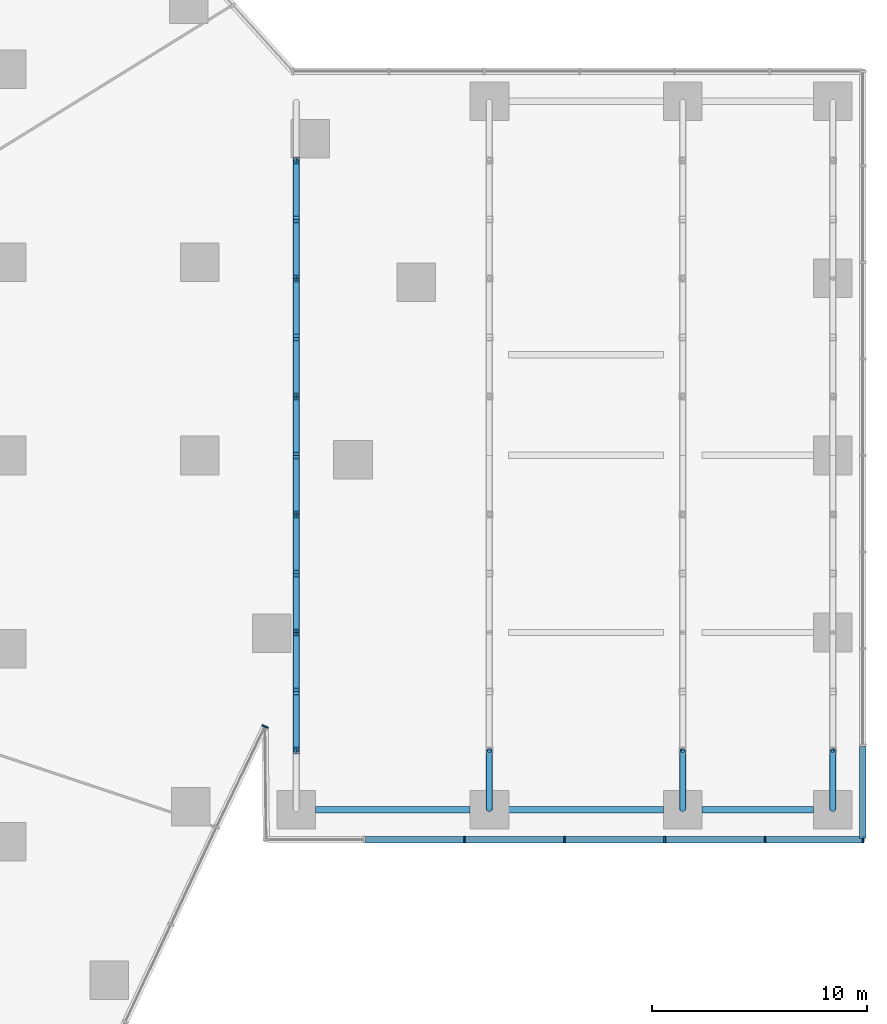
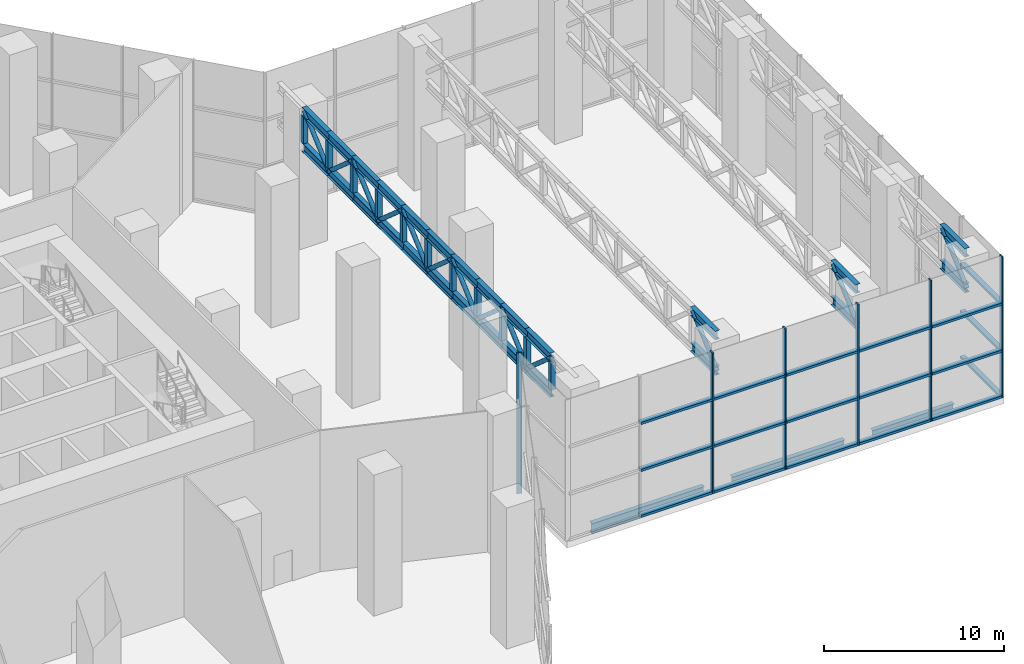
# One storey, part 6 of 21: 74 members, 3 beams, 3 elements without a shape of their own.
"""IFC4 building model written with IfcOpenShell, lengths in metres."""

from ifc_helpers import new_model, si_unit, direction, frame, origin, origin_2d, place, context, subcontext, project, spatial, rectangle, hollow_rectangle, hollow_circle, i_section, extrude, material, layer, layer_set, material_profile, profile_set, type_object, element, aggregate, save


model = new_model("IFC4")

# Units and contexts
model_context = context("Model", 3, precision=1e-05, world=origin(), true_north=direction((0.0, 1.0)))
body_context = subcontext(model_context, "Body", "Model", "MODEL_VIEW")
ifc_project = project(units=[si_unit("LENGTHUNIT", "METRE"), si_unit("AREAUNIT", "SQUARE_METRE"), si_unit("VOLUMEUNIT", "CUBIC_METRE"), si_unit("PLANEANGLEUNIT", "RADIAN"), si_unit("MASSUNIT", "GRAM", prefix="KILO")], contexts=[model_context])

# Site, building, storey
site_placement = place(None, origin())
site = spatial("IfcSite", under=ifc_project, at=site_placement, CompositionType="ELEMENT")
building_placement = place(site_placement, origin())
building = spatial("IfcBuilding", under=site, at=building_placement, Name="Dongbaek Canopy Tower", CompositionType="ELEMENT")
storey_placement = place(building_placement, frame((0.0, 0.0, 9.0)))
storey = spatial("IfcBuildingStorey", under=building, at=storey_placement, Name="L01", CompositionType="ELEMENT", Elevation=9.0)

# Members
ifc_material_1 = material(Name="Steel S355", Category="steel")
ifc_material_profile_1 = material_profile(ifc_material_1, hollow_circle(Radius=0.1337890625, WallThickness=0.00927734375, at=origin_2d()), Name="BRACE CHS 267.4x9.3 Steel S355")
ifc_profile_set_1 = profile_set([ifc_material_profile_1], Name="Steel S355")
member_type_1 = type_object("IfcMemberType", Name="BRACE CHS 267.4x9.3 Steel S355", PredefinedType="BRACE", material=ifc_profile_set_1)
for number, where, z_axis, x_axis, name in (
    (1, (31.5, -13.75, 9.406005859375), (0.0, 0.751782331066, -0.659411348627), (-1.0, 0.0, 0.0), "ROOFTRUSS:EW:0:D1"),
    (2, (31.5, -11.0, 6.993896484375), (0.0, 0.751782331066, 0.659411348627), (-1.0, 0.0, 0.0), "ROOFTRUSS:EW:0:D2"),
    (3, (31.5, -8.25, 9.406005859375), (0.0, 0.751782331066, -0.659411348627), (-1.0, 0.0, 0.0), "ROOFTRUSS:EW:0:D3"),
    (4, (31.5, -5.5, 6.993896484375), (0.0, 0.751782331066, 0.659411348627), (-1.0, 0.0, 0.0), "ROOFTRUSS:EW:0:D4"),
    (5, (31.5, -2.75, 9.406005859375), (0.0, 0.751782331066, -0.659411348627), (-1.0, 0.0, 0.0), "ROOFTRUSS:EW:0:D5"),
    (6, (31.5, 0.0, 6.993896484375), (0.0, 0.751782331066, 0.659411348627), (-1.0, 0.0, 0.0), "ROOFTRUSS:EW:0:D6"),
    (7, (31.5, 2.75, 9.406005859375), (0.0, 0.751782331066, -0.659411348627), (-1.0, 0.0, 0.0), "ROOFTRUSS:EW:0:D7"),
    (8, (31.5, 5.5, 6.993896484375), (0.0, 0.751782331066, 0.659411348627), (-1.0, 0.0, 0.0), "ROOFTRUSS:EW:0:D8"),
    (9, (31.5, 8.25, 9.406005859375), (0.0, 0.751782331066, -0.659411348627), (-1.0, 0.0, 0.0), "ROOFTRUSS:EW:0:D9"),
    (10, (31.5, 11.0, 6.993896484375), (0.0, 0.751782331066, 0.659411348627), (-1.0, 0.0, 0.0), "ROOFTRUSS:EW:0:D10"),
    (11, (40.5, -16.5, 6.993896484375), (0.0, 0.751782331066, 0.659411348627), (-1.0, 0.0, 0.0), "ROOFTRUSS:EW:1:D0"),
    (12, (49.5, -16.5, 6.993896484375), (0.0, 0.751782331066, 0.659411348627), (-1.0, 0.0, 0.0), "ROOFTRUSS:EW:2:D0"),
    (13, (56.5, -16.5, 6.993896484375), (0.0, 0.751782331066, 0.659411348627), (-1.0, 0.0, 0.0), "ROOFTRUSS:EW:3:D0"),
):
    element("IfcMember", number, at=place(storey_placement, frame(where, z_axis=z_axis, x_axis=x_axis)), inside=storey, type_object=member_type_1, Name=name, PredefinedType="BRACE", context=body_context, shape_type="SweptSolid", body=[
        extrude(hollow_circle(Radius=0.1337890625, WallThickness=0.00927734375, at=origin_2d()), origin(), (0.0, 0.0, 1.0), 3.657958984375),
    ])
ifc_material_2 = material(Name="Steel S355", Category="steel")
ifc_material_profile_2 = material_profile(ifc_material_2, i_section(OverallWidth=0.300048828125, OverallDepth=0.587890625, WebThickness=0.011962890625, FlangeThickness=0.02001953125, FilletRadius=0.028076171875, at=origin_2d()), Name="CHORD H 588x300x12x20 Steel S355")
ifc_profile_set_2 = profile_set([ifc_material_profile_2], Name="Steel S355")
member_type_2 = type_object("IfcMemberType", Name="CHORD H 588x300x12x20 Steel S355", PredefinedType="CHORD", material=ifc_profile_set_2)
for number, where, z_axis, x_axis, name in (
    (14, (31.5, -13.75, 6.993896484375), (0.0, 1.0, 0.0), (-1.0, 0.0, 0.0), "ROOFTRUSS:EW:0:CB1"),
    (15, (31.5, -13.75, 9.406005859375), (0.0, 1.0, 0.0), (-1.0, 0.0, 0.0), "ROOFTRUSS:EW:0:CT1"),
    (16, (31.5, -11.0, 6.993896484375), (0.0, 1.0, 0.0), (-1.0, 0.0, 0.0), "ROOFTRUSS:EW:0:CB2"),
    (17, (31.5, -11.0, 9.406005859375), (0.0, 1.0, 0.0), (-1.0, 0.0, 0.0), "ROOFTRUSS:EW:0:CT2"),
    (18, (31.5, -8.25, 6.993896484375), (0.0, 1.0, 0.0), (-1.0, 0.0, 0.0), "ROOFTRUSS:EW:0:CB3"),
    (19, (31.5, -8.25, 9.406005859375), (0.0, 1.0, 0.0), (-1.0, 0.0, 0.0), "ROOFTRUSS:EW:0:CT3"),
    (20, (31.5, -5.5, 6.993896484375), (0.0, 1.0, 0.0), (-1.0, 0.0, 0.0), "ROOFTRUSS:EW:0:CB4"),
    (21, (31.5, -5.5, 9.406005859375), (0.0, 1.0, 0.0), (-1.0, 0.0, 0.0), "ROOFTRUSS:EW:0:CT4"),
    (22, (31.5, -2.75, 6.993896484375), (0.0, 1.0, 0.0), (-1.0, 0.0, 0.0), "ROOFTRUSS:EW:0:CB5"),
    (23, (31.5, -2.75, 9.406005859375), (0.0, 1.0, 0.0), (-1.0, 0.0, 0.0), "ROOFTRUSS:EW:0:CT5"),
    (24, (31.5, 0.0, 6.993896484375), (0.0, 1.0, 0.0), (-1.0, 0.0, 0.0), "ROOFTRUSS:EW:0:CB6"),
    (25, (31.5, 0.0, 9.406005859375), (0.0, 1.0, 0.0), (-1.0, 0.0, 0.0), "ROOFTRUSS:EW:0:CT6"),
    (26, (31.5, 2.75, 6.993896484375), (0.0, 1.0, 0.0), (-1.0, 0.0, 0.0), "ROOFTRUSS:EW:0:CB7"),
    (27, (31.5, 2.75, 9.406005859375), (0.0, 1.0, 0.0), (-1.0, 0.0, 0.0), "ROOFTRUSS:EW:0:CT7"),
    (28, (31.5, 5.5, 6.993896484375), (0.0, 1.0, 0.0), (-1.0, 0.0, 0.0), "ROOFTRUSS:EW:0:CB8"),
    (29, (31.5, 5.5, 9.406005859375), (0.0, 1.0, 0.0), (-1.0, 0.0, 0.0), "ROOFTRUSS:EW:0:CT8"),
    (30, (31.5, 8.25, 6.993896484375), (0.0, 1.0, 0.0), (-1.0, 0.0, 0.0), "ROOFTRUSS:EW:0:CB9"),
    (31, (31.5, 8.25, 9.406005859375), (0.0, 1.0, 0.0), (-1.0, 0.0, 0.0), "ROOFTRUSS:EW:0:CT9"),
    (32, (31.5, 11.0, 6.993896484375), (0.0, 1.0, 0.0), (-1.0, 0.0, 0.0), "ROOFTRUSS:EW:0:CB10"),
    (33, (31.5, 11.0, 9.406005859375), (0.0, 1.0, 0.0), (-1.0, 0.0, 0.0), "ROOFTRUSS:EW:0:CT10"),
    (34, (40.5, -16.5, 6.993896484375), (0.0, 1.0, 0.0), (-1.0, 0.0, 0.0), "ROOFTRUSS:EW:1:CB0"),
    (35, (40.5, -16.5, 9.406005859375), (0.0, 1.0, 0.0), (-1.0, 0.0, 0.0), "ROOFTRUSS:EW:1:CT0"),
    (36, (49.5, -16.5, 6.993896484375), (0.0, 1.0, 0.0), (-1.0, 0.0, 0.0), "ROOFTRUSS:EW:2:CB0"),
    (37, (49.5, -16.5, 9.406005859375), (0.0, 1.0, 0.0), (-1.0, 0.0, 0.0), "ROOFTRUSS:EW:2:CT0"),
    (38, (56.5, -16.5, 6.993896484375), (0.0, 1.0, 0.0), (-1.0, 0.0, 0.0), "ROOFTRUSS:EW:3:CB0"),
    (39, (56.5, -16.5, 9.406005859375), (0.0, 1.0, 0.0), (-1.0, 0.0, 0.0), "ROOFTRUSS:EW:3:CT0"),
):
    element("IfcMember", number, at=place(storey_placement, frame(where, z_axis=z_axis, x_axis=x_axis)), inside=storey, type_object=member_type_2, Name=name, PredefinedType="CHORD", context=body_context, shape_type="SweptSolid", body=[
        extrude(i_section(OverallWidth=0.300048828125, OverallDepth=0.587890625, WebThickness=0.011962890625, FlangeThickness=0.02001953125, FilletRadius=0.028076171875, at=origin_2d()), origin(), (0.0, 0.0, 1.0), 2.75),
    ])

# Curtain wall, member
ifc_material_3 = material(Name="Aluminium 6063-T6 pale anodised", Category="aluminium")
ifc_layer = layer(ifc_material_3, 0.300048828125)
ifc_layer_set = layer_set([ifc_layer], Name="CW-2 podium hall curtain wall")
curtain_wall_type = type_object("IfcCurtainWallType", Name="CW-2 podium hall curtain wall", PredefinedType="NOTDEFINED", material=ifc_layer_set)
curtain_wall_1_placement = place(storey_placement, origin())
curtain_wall_1 = element("IfcCurtainWall", 40, at=curtain_wall_1_placement, inside=storey, type_object=curtain_wall_type, Name="CW-2 curtain wall F0.1", PredefinedType="NOTDEFINED")
ifc_material_4 = material(Name="Aluminium 6063-T6 pale anodised", Category="aluminium")
ifc_material_profile_3 = material_profile(ifc_material_4, rectangle(XDim=0.300048828125, YDim=0.080078125, at=origin_2d()), Name="CW-2 mullion 80 x 300")
ifc_profile_set_3 = profile_set([ifc_material_profile_3], Name="Aluminium 6063-T6 pale anodised")
member_type_3 = type_object("IfcMemberType", Name="CW-2 mullion 80 x 300", PredefinedType="MULLION", material=ifc_profile_set_3)
member_1_placement = place(storey_placement, frame((30.04345703125, -12.62939453125, 0.0), z_axis=(0.0, 0.0, 1.0), x_axis=(0.900940787098, -0.433942044682, 0.0)))
member_1 = element("IfcMember", 41, at=member_1_placement, type_object=member_type_3, Name="CW-2 mullion F0.1.5", PredefinedType="MULLION", context=body_context, shape_type="SweptSolid", body=[
    extrude(rectangle(XDim=0.300048828125, YDim=0.080078125, at=origin_2d()), origin(), (0.0, 0.0, 1.0), 9.550048828125),
])
aggregate(curtain_wall_1, [member_1])

# Curtain wall, members
curtain_wall_2_placement = place(storey_placement, origin())
curtain_wall_2 = element("IfcCurtainWall", 42, at=curtain_wall_2_placement, inside=storey, type_object=curtain_wall_type, Name="CW-2 curtain wall F2.1", PredefinedType="NOTDEFINED")
member_2_placement = place(storey_placement, frame((39.333251953125, -17.89990234375, 0.0), z_axis=(0.0, 0.0, 1.0), x_axis=(0.0, -1.0, 0.0)))
member_2 = element("IfcMember", 43, at=member_2_placement, type_object=member_type_3, Name="CW-2 mullion F2.1.3", PredefinedType="MULLION", context=body_context, shape_type="SweptSolid", body=[
    extrude(rectangle(XDim=0.300048828125, YDim=0.080078125, at=origin_2d()), origin(), (0.0, 0.0, 1.0), 9.550048828125),
])
member_3_placement = place(storey_placement, frame((44.0, -17.89990234375, 0.0), z_axis=(0.0, 0.0, 1.0), x_axis=(0.0, -1.0, 0.0)))
member_3 = element("IfcMember", 44, at=member_3_placement, type_object=member_type_3, Name="CW-2 mullion F2.1.4", PredefinedType="MULLION", context=body_context, shape_type="SweptSolid", body=[
    extrude(rectangle(XDim=0.300048828125, YDim=0.080078125, at=origin_2d()), origin(), (0.0, 0.0, 1.0), 9.550048828125),
])
member_4_placement = place(storey_placement, frame((48.666748046875, -17.89990234375, 0.0), z_axis=(0.0, 0.0, 1.0), x_axis=(0.0, -1.0, 0.0)))
member_4 = element("IfcMember", 45, at=member_4_placement, type_object=member_type_3, Name="CW-2 mullion F2.1.5", PredefinedType="MULLION", context=body_context, shape_type="SweptSolid", body=[
    extrude(rectangle(XDim=0.300048828125, YDim=0.080078125, at=origin_2d()), origin(), (0.0, 0.0, 1.0), 9.550048828125),
])
member_5_placement = place(storey_placement, frame((53.333251953125, -17.89990234375, 0.0), z_axis=(0.0, 0.0, 1.0), x_axis=(0.0, -1.0, 0.0)))
member_5 = element("IfcMember", 46, at=member_5_placement, type_object=member_type_3, Name="CW-2 mullion F2.1.6", PredefinedType="MULLION", context=body_context, shape_type="SweptSolid", body=[
    extrude(rectangle(XDim=0.300048828125, YDim=0.080078125, at=origin_2d()), origin(), (0.0, 0.0, 1.0), 9.550048828125),
])
member_6_placement = place(storey_placement, frame((57.89990234375, -17.89990234375, 0.0), z_axis=(0.0, 0.0, 1.0), x_axis=(0.0, -1.0, 0.0)))
member_6 = element("IfcMember", 47, at=member_6_placement, type_object=member_type_3, Name="CW-2 mullion F2.1.7", PredefinedType="MULLION", context=body_context, shape_type="SweptSolid", body=[
    extrude(rectangle(XDim=0.300048828125, YDim=0.080078125, at=origin_2d()), origin(), (0.0, 0.0, 1.0), 9.550048828125),
])
ifc_material_5 = material(Name="Aluminium 6063-T6 pale anodised", Category="aluminium")
ifc_material_profile_4 = material_profile(ifc_material_5, rectangle(XDim=0.300048828125, YDim=0.159912109375, at=origin_2d()), Name="CW-2 transom 160 x 300")
ifc_profile_set_4 = profile_set([ifc_material_profile_4], Name="Aluminium 6063-T6 pale anodised")
member_type_4 = type_object("IfcMemberType", Name="CW-2 transom 160 x 300", PredefinedType="USERDEFINED", material=ifc_profile_set_4)
member_7_placement = place(storey_placement, frame((34.71875, -17.89990234375, 0.080078125), z_axis=(1.0, 0.0, 0.0), x_axis=(0.0, 1.0, 0.0)))
member_7 = element("IfcMember", 48, at=member_7_placement, type_object=member_type_4, Name="CW-2 transom F2.1.2.1", ObjectType="TRANSOM", PredefinedType="USERDEFINED", context=body_context, shape_type="SweptSolid", body=[
    extrude(rectangle(XDim=0.300048828125, YDim=0.159912109375, at=origin_2d()), origin(), (0.0, 0.0, 1.0), 4.5625),
])
member_8_placement = place(storey_placement, frame((34.71875, -17.89990234375, 3.183349609375), z_axis=(1.0, 0.0, 0.0), x_axis=(0.0, 1.0, 0.0)))
member_8 = element("IfcMember", 49, at=member_8_placement, type_object=member_type_4, Name="CW-2 transom F2.1.2.2", ObjectType="TRANSOM", PredefinedType="USERDEFINED", context=body_context, shape_type="SweptSolid", body=[
    extrude(rectangle(XDim=0.300048828125, YDim=0.159912109375, at=origin_2d()), origin(), (0.0, 0.0, 1.0), 4.5625),
])
member_9_placement = place(storey_placement, frame((34.71875, -17.89990234375, 6.36669921875), z_axis=(1.0, 0.0, 0.0), x_axis=(0.0, 1.0, 0.0)))
member_9 = element("IfcMember", 50, at=member_9_placement, type_object=member_type_4, Name="CW-2 transom F2.1.2.3", ObjectType="TRANSOM", PredefinedType="USERDEFINED", context=body_context, shape_type="SweptSolid", body=[
    extrude(rectangle(XDim=0.300048828125, YDim=0.159912109375, at=origin_2d()), origin(), (0.0, 0.0, 1.0), 4.5625),
])
member_10_placement = place(storey_placement, frame((39.38525390625, -17.89990234375, 0.080078125), z_axis=(1.0, 0.0, 0.0), x_axis=(0.0, 1.0, 0.0)))
member_10 = element("IfcMember", 51, at=member_10_placement, type_object=member_type_4, Name="CW-2 transom F2.1.3.1", ObjectType="TRANSOM", PredefinedType="USERDEFINED", context=body_context, shape_type="SweptSolid", body=[
    extrude(rectangle(XDim=0.300048828125, YDim=0.159912109375, at=origin_2d()), origin(), (0.0, 0.0, 1.0), 4.562744140625),
])
member_11_placement = place(storey_placement, frame((39.38525390625, -17.89990234375, 3.183349609375), z_axis=(1.0, 0.0, 0.0), x_axis=(0.0, 1.0, 0.0)))
member_11 = element("IfcMember", 52, at=member_11_placement, type_object=member_type_4, Name="CW-2 transom F2.1.3.2", ObjectType="TRANSOM", PredefinedType="USERDEFINED", context=body_context, shape_type="SweptSolid", body=[
    extrude(rectangle(XDim=0.300048828125, YDim=0.159912109375, at=origin_2d()), origin(), (0.0, 0.0, 1.0), 4.562744140625),
])
member_12_placement = place(storey_placement, frame((39.38525390625, -17.89990234375, 6.36669921875), z_axis=(1.0, 0.0, 0.0), x_axis=(0.0, 1.0, 0.0)))
member_12 = element("IfcMember", 53, at=member_12_placement, type_object=member_type_4, Name="CW-2 transom F2.1.3.3", ObjectType="TRANSOM", PredefinedType="USERDEFINED", context=body_context, shape_type="SweptSolid", body=[
    extrude(rectangle(XDim=0.300048828125, YDim=0.159912109375, at=origin_2d()), origin(), (0.0, 0.0, 1.0), 4.562744140625),
])
member_13_placement = place(storey_placement, frame((44.052001953125, -17.89990234375, 0.080078125), z_axis=(1.0, 0.0, 0.0), x_axis=(0.0, 1.0, 0.0)))
member_13 = element("IfcMember", 54, at=member_13_placement, type_object=member_type_4, Name="CW-2 transom F2.1.4.1", ObjectType="TRANSOM", PredefinedType="USERDEFINED", context=body_context, shape_type="SweptSolid", body=[
    extrude(rectangle(XDim=0.300048828125, YDim=0.159912109375, at=origin_2d()), origin(), (0.0, 0.0, 1.0), 4.562744140625),
])
member_14_placement = place(storey_placement, frame((44.052001953125, -17.89990234375, 3.183349609375), z_axis=(1.0, 0.0, 0.0), x_axis=(0.0, 1.0, 0.0)))
member_14 = element("IfcMember", 55, at=member_14_placement, type_object=member_type_4, Name="CW-2 transom F2.1.4.2", ObjectType="TRANSOM", PredefinedType="USERDEFINED", context=body_context, shape_type="SweptSolid", body=[
    extrude(rectangle(XDim=0.300048828125, YDim=0.159912109375, at=origin_2d()), origin(), (0.0, 0.0, 1.0), 4.562744140625),
])
member_15_placement = place(storey_placement, frame((44.052001953125, -17.89990234375, 6.36669921875), z_axis=(1.0, 0.0, 0.0), x_axis=(0.0, 1.0, 0.0)))
member_15 = element("IfcMember", 56, at=member_15_placement, type_object=member_type_4, Name="CW-2 transom F2.1.4.3", ObjectType="TRANSOM", PredefinedType="USERDEFINED", context=body_context, shape_type="SweptSolid", body=[
    extrude(rectangle(XDim=0.300048828125, YDim=0.159912109375, at=origin_2d()), origin(), (0.0, 0.0, 1.0), 4.562744140625),
])
member_16_placement = place(storey_placement, frame((48.71875, -17.89990234375, 0.080078125), z_axis=(1.0, 0.0, 0.0), x_axis=(0.0, 1.0, 0.0)))
member_16 = element("IfcMember", 57, at=member_16_placement, type_object=member_type_4, Name="CW-2 transom F2.1.5.1", ObjectType="TRANSOM", PredefinedType="USERDEFINED", context=body_context, shape_type="SweptSolid", body=[
    extrude(rectangle(XDim=0.300048828125, YDim=0.159912109375, at=origin_2d()), origin(), (0.0, 0.0, 1.0), 4.5625),
])
member_17_placement = place(storey_placement, frame((48.71875, -17.89990234375, 3.183349609375), z_axis=(1.0, 0.0, 0.0), x_axis=(0.0, 1.0, 0.0)))
member_17 = element("IfcMember", 58, at=member_17_placement, type_object=member_type_4, Name="CW-2 transom F2.1.5.2", ObjectType="TRANSOM", PredefinedType="USERDEFINED", context=body_context, shape_type="SweptSolid", body=[
    extrude(rectangle(XDim=0.300048828125, YDim=0.159912109375, at=origin_2d()), origin(), (0.0, 0.0, 1.0), 4.5625),
])
member_18_placement = place(storey_placement, frame((48.71875, -17.89990234375, 6.36669921875), z_axis=(1.0, 0.0, 0.0), x_axis=(0.0, 1.0, 0.0)))
member_18 = element("IfcMember", 59, at=member_18_placement, type_object=member_type_4, Name="CW-2 transom F2.1.5.3", ObjectType="TRANSOM", PredefinedType="USERDEFINED", context=body_context, shape_type="SweptSolid", body=[
    extrude(rectangle(XDim=0.300048828125, YDim=0.159912109375, at=origin_2d()), origin(), (0.0, 0.0, 1.0), 4.5625),
])
member_19_placement = place(storey_placement, frame((53.38525390625, -17.89990234375, 0.080078125), z_axis=(1.0, 0.0, 0.0), x_axis=(0.0, 1.0, 0.0)))
member_19 = element("IfcMember", 60, at=member_19_placement, type_object=member_type_4, Name="CW-2 transom F2.1.6.1", ObjectType="TRANSOM", PredefinedType="USERDEFINED", context=body_context, shape_type="SweptSolid", body=[
    extrude(rectangle(XDim=0.300048828125, YDim=0.159912109375, at=origin_2d()), origin(), (0.0, 0.0, 1.0), 4.462646484375),
])
member_20_placement = place(storey_placement, frame((53.38525390625, -17.89990234375, 3.183349609375), z_axis=(1.0, 0.0, 0.0), x_axis=(0.0, 1.0, 0.0)))
member_20 = element("IfcMember", 61, at=member_20_placement, type_object=member_type_4, Name="CW-2 transom F2.1.6.2", ObjectType="TRANSOM", PredefinedType="USERDEFINED", context=body_context, shape_type="SweptSolid", body=[
    extrude(rectangle(XDim=0.300048828125, YDim=0.159912109375, at=origin_2d()), origin(), (0.0, 0.0, 1.0), 4.462646484375),
])
member_21_placement = place(storey_placement, frame((53.38525390625, -17.89990234375, 6.36669921875), z_axis=(1.0, 0.0, 0.0), x_axis=(0.0, 1.0, 0.0)))
member_21 = element("IfcMember", 62, at=member_21_placement, type_object=member_type_4, Name="CW-2 transom F2.1.6.3", ObjectType="TRANSOM", PredefinedType="USERDEFINED", context=body_context, shape_type="SweptSolid", body=[
    extrude(rectangle(XDim=0.300048828125, YDim=0.159912109375, at=origin_2d()), origin(), (0.0, 0.0, 1.0), 4.462646484375),
])
aggregate(curtain_wall_2, [member_2, member_3, member_4, member_5, member_6, member_7, member_8, member_9, member_10, member_11, member_12, member_13, member_14, member_15, member_16, member_17, member_18, member_19, member_20, member_21])

curtain_wall_3_placement = place(storey_placement, origin())
curtain_wall_3 = element("IfcCurtainWall", 63, at=curtain_wall_3_placement, inside=storey, type_object=curtain_wall_type, Name="CW-2 curtain wall F3.1", PredefinedType="NOTDEFINED")
member_22_placement = place(storey_placement, frame((57.89990234375, -17.847900390625, 0.080078125), z_axis=(0.0, 1.0, 0.0), x_axis=(-1.0, 0.0, 0.0)))
member_22 = element("IfcMember", 64, at=member_22_placement, type_object=member_type_4, Name="CW-2 transom F3.1.1.1", ObjectType="TRANSOM", PredefinedType="USERDEFINED", context=body_context, shape_type="SweptSolid", body=[
    extrude(rectangle(XDim=0.300048828125, YDim=0.159912109375, at=origin_2d()), origin(), (0.0, 0.0, 1.0), 4.2958984375),
])
member_23_placement = place(storey_placement, frame((57.89990234375, -17.847900390625, 3.183349609375), z_axis=(0.0, 1.0, 0.0), x_axis=(-1.0, 0.0, 0.0)))
member_23 = element("IfcMember", 65, at=member_23_placement, type_object=member_type_4, Name="CW-2 transom F3.1.1.2", ObjectType="TRANSOM", PredefinedType="USERDEFINED", context=body_context, shape_type="SweptSolid", body=[
    extrude(rectangle(XDim=0.300048828125, YDim=0.159912109375, at=origin_2d()), origin(), (0.0, 0.0, 1.0), 4.2958984375),
])
member_24_placement = place(storey_placement, frame((57.89990234375, -17.847900390625, 6.36669921875), z_axis=(0.0, 1.0, 0.0), x_axis=(-1.0, 0.0, 0.0)))
member_24 = element("IfcMember", 66, at=member_24_placement, type_object=member_type_4, Name="CW-2 transom F3.1.1.3", ObjectType="TRANSOM", PredefinedType="USERDEFINED", context=body_context, shape_type="SweptSolid", body=[
    extrude(rectangle(XDim=0.300048828125, YDim=0.159912109375, at=origin_2d()), origin(), (0.0, 0.0, 1.0), 4.2958984375),
])
aggregate(curtain_wall_3, [member_22, member_23, member_24])

# Beams
ifc_material_6 = material(Name="Steel S355", Category="steel")
ifc_material_profile_5 = material_profile(ifc_material_6, i_section(OverallWidth=0.300048828125, OverallDepth=0.699951171875, WebThickness=0.012939453125, FlangeThickness=0.02392578125, FilletRadius=0.028076171875, at=origin_2d()), Name="FLOOR GIRDER H 700x300x13x24 Steel S355 beam")
ifc_profile_set_5 = profile_set([ifc_material_profile_5], Name="Steel S355")
beam_type = type_object("IfcBeamType", Name="FLOOR GIRDER H 700x300x13x24 Steel S355 beam", PredefinedType="BEAM", material=ifc_profile_set_5)
for number, where, z_axis, x_axis, name in (
    (67, (32.39990234375, -16.5, -0.800048828125), (1.0, 0.0, 0.0), (0.0, 1.0, 0.0), "GIRDER:EW:01"),
    (68, (41.39990234375, -16.5, -0.800048828125), (1.0, 0.0, 0.0), (0.0, 1.0, 0.0), "GIRDER:EW:02"),
):
    element("IfcBeam", number, at=place(storey_placement, frame(where, z_axis=z_axis, x_axis=x_axis)), inside=storey, type_object=beam_type, Name=name, PredefinedType="BEAM", context=body_context, shape_type="SweptSolid", body=[
        extrude(i_section(OverallWidth=0.300048828125, OverallDepth=0.699951171875, WebThickness=0.012939453125, FlangeThickness=0.02392578125, FilletRadius=0.028076171875, at=origin_2d()), origin(), (0.0, 0.0, 1.0), 7.2001953125),
    ])
beam_placement = place(storey_placement, frame((50.39990234375, -16.5, -0.800048828125), z_axis=(1.0, 0.0, 0.0), x_axis=(0.0, 1.0, 0.0)))
element("IfcBeam", 69, at=beam_placement, inside=storey, type_object=beam_type, Name="GIRDER:EW:03", PredefinedType="BEAM", context=body_context, shape_type="SweptSolid", body=[
    extrude(i_section(OverallWidth=0.300048828125, OverallDepth=0.699951171875, WebThickness=0.012939453125, FlangeThickness=0.02392578125, FilletRadius=0.028076171875, at=origin_2d()), origin(), (0.0, 0.0, 1.0), 5.2001953125),
])

# Members
ifc_material_7 = material(Name="Steel S355", Category="steel")
ifc_material_profile_6 = material_profile(ifc_material_7, hollow_rectangle(XDim=0.300048828125, YDim=0.300048828125, WallThickness=0.011962890625, at=origin_2d()), Name="POST SHS 300x300x12 Steel S355")
ifc_profile_set_6 = profile_set([ifc_material_profile_6], Name="Steel S355")
member_type_5 = type_object("IfcMemberType", Name="POST SHS 300x300x12 Steel S355", PredefinedType="POST", material=ifc_profile_set_6)
for number, where, z_axis, x_axis, name in (
    (70, (31.5, -13.75, 7.2880859375), (0.0, 0.0, 1.0), (1.0, 0.0, 0.0), "ROOFTRUSS:EW:0:P1"),
    (71, (31.5, -11.0, 7.2880859375), (0.0, 0.0, 1.0), (1.0, 0.0, 0.0), "ROOFTRUSS:EW:0:P2"),
    (72, (31.5, -8.25, 7.2880859375), (0.0, 0.0, 1.0), (1.0, 0.0, 0.0), "ROOFTRUSS:EW:0:P3"),
    (73, (31.5, -5.5, 7.2880859375), (0.0, 0.0, 1.0), (1.0, 0.0, 0.0), "ROOFTRUSS:EW:0:P4"),
    (74, (31.5, -2.75, 7.2880859375), (0.0, 0.0, 1.0), (1.0, 0.0, 0.0), "ROOFTRUSS:EW:0:P5"),
    (75, (31.5, 0.0, 7.2880859375), (0.0, 0.0, 1.0), (1.0, 0.0, 0.0), "ROOFTRUSS:EW:0:P6"),
    (76, (31.5, 2.75, 7.2880859375), (0.0, 0.0, 1.0), (1.0, 0.0, 0.0), "ROOFTRUSS:EW:0:P7"),
    (77, (31.5, 5.5, 7.2880859375), (0.0, 0.0, 1.0), (1.0, 0.0, 0.0), "ROOFTRUSS:EW:0:P8"),
    (78, (31.5, 8.25, 7.2880859375), (0.0, 0.0, 1.0), (1.0, 0.0, 0.0), "ROOFTRUSS:EW:0:P9"),
    (79, (31.5, 11.0, 7.2880859375), (0.0, 0.0, 1.0), (1.0, 0.0, 0.0), "ROOFTRUSS:EW:0:P10"),
    (80, (31.5, 13.75, 7.2880859375), (0.0, 0.0, 1.0), (1.0, 0.0, 0.0), "ROOFTRUSS:EW:0:P11"),
):
    element("IfcMember", number, at=place(storey_placement, frame(where, z_axis=z_axis, x_axis=x_axis)), inside=storey, type_object=member_type_5, Name=name, PredefinedType="POST", context=body_context, shape_type="SweptSolid", body=[
        extrude(hollow_rectangle(XDim=0.300048828125, YDim=0.300048828125, WallThickness=0.011962890625, at=origin_2d()), origin(), (0.0, 0.0, 1.0), 1.823974609375),
    ])

save(model, "model.ifc")
